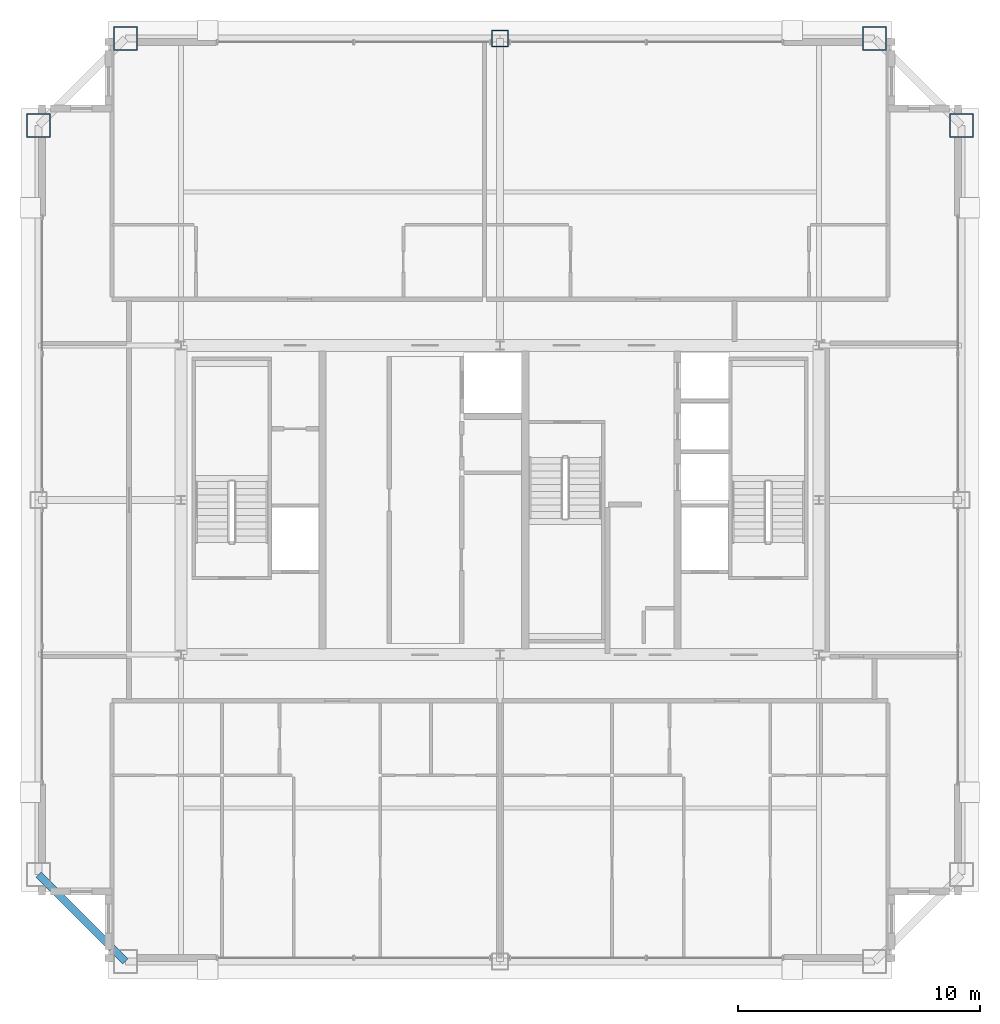
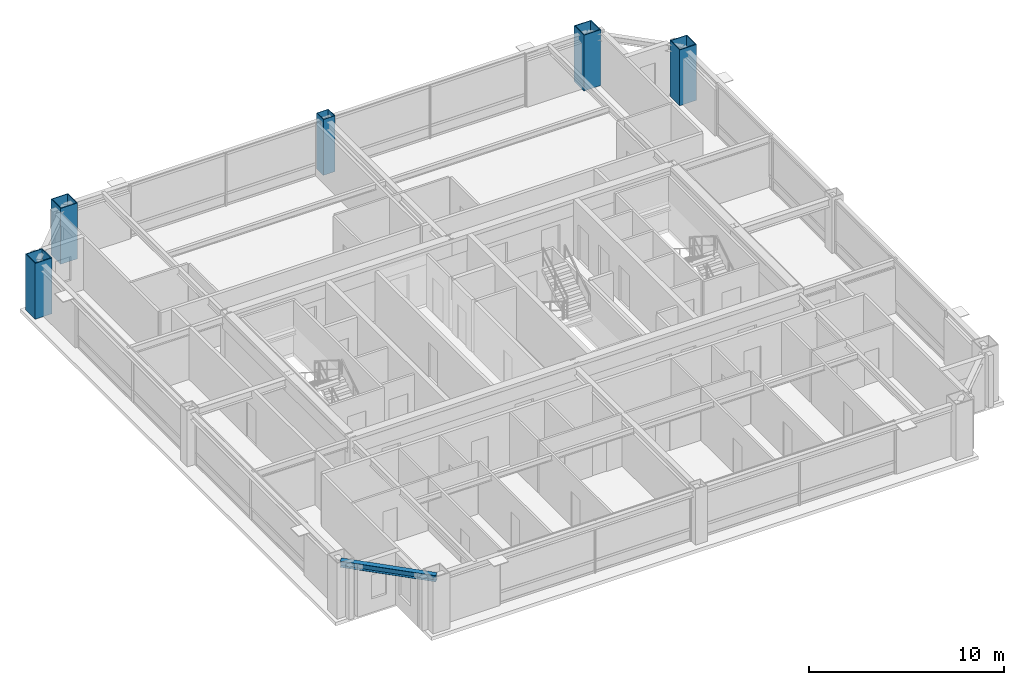
# One storey, part 3 of 34: 5 columns, 1 beam.
"""IFC4 building model written with IfcOpenShell, lengths in metres."""

import ifcopenshell
import ifcopenshell.guid

model = None  # the IFC model being written
_history = None  # IfcOwnerHistory: only IFC2X3 demands one
_inside = {}  # id of a spatial element -> (the spatial element, [elements in it])
_under = {}  # id of a project, library or spatial element -> (it, [spatial elements below it])
_declared = {}  # id of a project -> (the project, [libraries it declares])
_typed = {}  # id of a type object -> (the type object, [elements of that type])
_made_of = {}  # id of a material, layer set ... -> (it, [elements and type objects made of it])


def new_model(schema):
    """Start an empty IFC model of exactly this schema.

    Asked for "IFC4X3", IfcOpenShell would pick the latest addendum, in which some entities
    have other attributes; the version numbers below select the first issue.
    IFC2X3 requires an IfcOwnerHistory on every rooted entity: one is made here for all.
    """
    global model, _history
    if schema == "IFC4X3":
        model = ifcopenshell.file(schema_version=(4, 3, 0, 0))
    else:
        model = ifcopenshell.file(schema=schema)
    _inside.clear()
    _under.clear()
    _declared.clear()
    _typed.clear()
    _made_of.clear()
    _history = None
    if model.schema == "IFC2X3":
        org = make("IfcOrganization", Name="unknown")
        user = make(
            "IfcPersonAndOrganization",
            ThePerson=make("IfcPerson", FamilyName="unknown"),
            TheOrganization=org,
        )
        app = make(
            "IfcApplication",
            ApplicationDeveloper=org,
            Version="unknown",
            ApplicationFullName="unknown",
            ApplicationIdentifier="unknown",
        )
        _history = make(
            "IfcOwnerHistory",
            OwningUser=user,
            OwningApplication=app,
            ChangeAction="ADDED",
            CreationDate=0,
        )
    return model


def make(cls, **values):
    """One entity of the class cls with the attributes given. An attribute that is None is left unset."""
    return model.create_entity(
        cls, **{name: value for name, value in values.items() if value is not None}
    )


def rooted(cls, **values):
    """An entity with a GlobalId (a new one), such as an element, a storey or a relation."""
    return make(cls, GlobalId=ifcopenshell.guid.new(), OwnerHistory=_history, **values)


def si_unit(unit_type, name, prefix=None):
    """IfcSIUnit, for example si_unit("LENGTHUNIT", "METRE", prefix="MILLI")."""
    return make("IfcSIUnit", UnitType=unit_type, Prefix=prefix, Name=name)


def assignment(units):
    """IfcUnitAssignment: the units of a project."""
    return None if units is None else make("IfcUnitAssignment", Units=units)


def point(xyz):
    """IfcCartesianPoint."""
    return None if xyz is None else make("IfcCartesianPoint", Coordinates=xyz)


def direction(xyz):
    """IfcDirection."""
    return None if xyz is None else make("IfcDirection", DirectionRatios=xyz)


def frame(location, z_axis=None, x_axis=None):
    """IfcAxis2Placement3D, a coordinate frame: its origin and axes. An axis left out is left unset."""
    return make(
        "IfcAxis2Placement3D",
        Location=point(location),
        Axis=direction(z_axis),
        RefDirection=direction(x_axis),
    )


def frame_2d(location, x_axis=None):
    """IfcAxis2Placement2D, a coordinate frame in the plane: its origin and x axis."""
    return make(
        "IfcAxis2Placement2D", Location=point(location), RefDirection=direction(x_axis)
    )


def origin():
    """The frame at (0, 0, 0) with its axes left unset."""
    return frame((0.0, 0.0, 0.0))


def origin_2d():
    """The frame at (0, 0) in the plane with its x axis left unset."""
    return frame_2d((0.0, 0.0))


def place(relative_to, where):
    """IfcLocalPlacement: puts the frame where relative to a parent placement (None: the world)."""
    return make(
        "IfcLocalPlacement", PlacementRelTo=relative_to, RelativePlacement=where
    )


def context(
    kind, dimensions, precision=None, world=None, true_north=None, identifier=None
):
    """IfcGeometricRepresentationContext, for example the 3D "Model" context."""
    return make(
        "IfcGeometricRepresentationContext",
        ContextIdentifier=identifier,
        ContextType=kind,
        CoordinateSpaceDimension=dimensions,
        Precision=precision,
        WorldCoordinateSystem=world,
        TrueNorth=true_north,
    )


def subcontext(parent, identifier, kind, view, scale=None):
    """IfcGeometricRepresentationSubContext, for example "Body" below "Model"."""
    return make(
        "IfcGeometricRepresentationSubContext",
        ContextIdentifier=identifier,
        ContextType=kind,
        ParentContext=parent,
        TargetScale=scale,
        TargetView=view,
    )


def project(units=None, contexts=None):
    """IfcProject with its units and contexts."""
    return rooted(
        "IfcProject",
        Name="project",
        RepresentationContexts=contexts,
        UnitsInContext=assignment(units),
    )


def spatial(cls, under=None, at=None, **own):
    """A site, building, storey or space (cls), placed at a placement, below another one or the project."""
    s = rooted(cls, ObjectPlacement=at, **own)
    if under is not None:
        _under.setdefault(under.id(), (under, []))[1].append(s)
    return s


def profile(cls, at=None, kind="AREA", **sizes):
    """A parametric profile (cls). Its sizes go by their IFC names, for example OverallWidth=200.0."""
    return make(cls, ProfileType=kind, Position=at, **sizes)


def hollow_rectangle(**sizes):
    """IfcRectangleHollowProfileDef."""
    return profile("IfcRectangleHollowProfileDef", **sizes)


def i_section(**sizes):
    """IfcIShapeProfileDef."""
    return profile("IfcIShapeProfileDef", **sizes)


def extrude(swept, where, along, depth):
    """IfcExtrudedAreaSolid: the profile swept, set in the frame where, extruded along a direction by depth."""
    return make(
        "IfcExtrudedAreaSolid",
        SweptArea=swept,
        Position=where,
        ExtrudedDirection=direction(along),
        Depth=depth,
    )


def shape(context_of_items, identifier, shape_type, items):
    """IfcShapeRepresentation: the items that make up one representation, for example the "Body"."""
    return make(
        "IfcShapeRepresentation",
        ContextOfItems=context_of_items,
        RepresentationIdentifier=identifier,
        RepresentationType=shape_type,
        Items=items,
    )


def source(mapping_origin, context_of_items, identifier, shape_type, items):
    """IfcRepresentationMap: a shape defined once, which mapped items show again and again."""
    return make(
        "IfcRepresentationMap",
        MappingOrigin=mapping_origin,
        MappedRepresentation=shape(context_of_items, identifier, shape_type, items),
    )


def transform(
    local_origin,
    x_axis=None,
    y_axis=None,
    z_axis=None,
    scale=None,
    scale2=None,
    scale3=None,
    uniform=True,
):
    """IfcCartesianTransformationOperator3D, or its non-uniform kind. x_axis, y_axis, z_axis: its Axis1, 2, 3."""
    if uniform:
        return make(
            "IfcCartesianTransformationOperator3D",
            Axis1=direction(x_axis),
            Axis2=direction(y_axis),
            LocalOrigin=point(local_origin),
            Scale=scale,
            Axis3=direction(z_axis),
        )
    return make(
        "IfcCartesianTransformationOperator3DnonUniform",
        Axis1=direction(x_axis),
        Axis2=direction(y_axis),
        LocalOrigin=point(local_origin),
        Scale=scale,
        Axis3=direction(z_axis),
        Scale2=scale2,
        Scale3=scale3,
    )


def mapped(mapping_source, mapping_target):
    """IfcMappedItem: shows the shape of a source again, moved by a transform."""
    return make(
        "IfcMappedItem", MappingSource=mapping_source, MappingTarget=mapping_target
    )


def material(Name=None, Category=None):
    """IfcMaterial."""
    return make("IfcMaterial", Name=Name, Category=Category)


def material_profile(
    of_material, cross_section, Name=None, Category=None, Priority=None
):
    """IfcMaterialProfile: a cross section and its material."""
    return make(
        "IfcMaterialProfile",
        Name=Name,
        Material=of_material,
        Profile=cross_section,
        Priority=Priority,
        Category=Category,
    )


def profile_set(profiles, Name=None, composite=None):
    """IfcMaterialProfileSet."""
    return make(
        "IfcMaterialProfileSet",
        Name=Name,
        MaterialProfiles=profiles,
        CompositeProfile=composite,
    )


def made_of(thing, what):
    """Note that an element or type object is made of a material, layer set ...; save() writes the relation."""
    if what is not None:
        _made_of.setdefault(what.id(), (what, []))[1].append(thing)
    return thing


def type_object(cls, material=None, **own):
    """A type object (cls), such as IfcWallType, which elements share."""
    return made_of(rooted(cls, **own), material)


def element(
    cls,
    number,
    at=None,
    inside=None,
    cuts=None,
    type_object=None,
    material=None,
    context=None,
    identifier="Body",
    shape_type=None,
    held_by="IfcProductDefinitionShape",
    body=None,
    shapes=None,
    **own,
):
    """One element of the class cls, such as IfcWall. Its Tag is "e" and its number.

    at: its placement. inside: the storey or other place that contains it. cuts: it is an
    opening in that element (IfcRelVoidsElement). A single representation is given by context,
    identifier, shape_type and body (its items); several are given by shapes. held_by: the class
    of the entity that holds the representations. save() writes the other relations.
    """
    e = rooted(cls, Tag="e%d" % number, ObjectPlacement=at, **own)
    if body is not None:
        shapes = [shape(context, identifier, shape_type, body)]
    if shapes is not None:
        e.Representation = make(held_by, Representations=shapes)
    if inside is not None:
        _inside.setdefault(inside.id(), (inside, []))[1].append(e)
    if cuts is not None:
        rooted(
            "IfcRelVoidsElement", RelatingBuildingElement=cuts, RelatedOpeningElement=e
        )
    if type_object is not None:
        _typed.setdefault(type_object.id(), (type_object, []))[1].append(e)
    return made_of(e, material)


def aggregate(whole, parts):
    """IfcRelAggregates: a whole, such as a stair, and the parts it consists of."""
    return rooted("IfcRelAggregates", RelatingObject=whole, RelatedObjects=parts)


def save(model, path):
    """Write the relations noted so far, then the file.

    IfcRelAggregates (storeys below a building ...), IfcRelContainedInSpatialStructure (elements
    in a storey), IfcRelDefinesByType, IfcRelAssociatesMaterial and IfcRelDeclares: one each for
    every whole, place, type object, material and project.
    """
    for whole, parts in _under.values():
        aggregate(whole, parts)
    for where, things in _inside.values():
        rooted(
            "IfcRelContainedInSpatialStructure",
            RelatedElements=things,
            RelatingStructure=where,
        )
    for kind, things in _typed.values():
        rooted("IfcRelDefinesByType", RelatedObjects=things, RelatingType=kind)
    for what, things in _made_of.values():
        rooted("IfcRelAssociatesMaterial", RelatedObjects=things, RelatingMaterial=what)
    for by, libraries in _declared.values():
        rooted("IfcRelDeclares", RelatingContext=by, RelatedDefinitions=libraries)
    model.write(path)


model = new_model("IFC4")

# Units and contexts
model_context = context("Model", 3, precision=1e-05, world=origin(), true_north=direction((0.0, 1.0)))
body_context = subcontext(model_context, "Body", "Model", "MODEL_VIEW")
ifc_project = project(units=[si_unit("LENGTHUNIT", "METRE"), si_unit("AREAUNIT", "SQUARE_METRE"), si_unit("VOLUMEUNIT", "CUBIC_METRE"), si_unit("PLANEANGLEUNIT", "RADIAN"), si_unit("MASSUNIT", "GRAM", prefix="KILO"), si_unit("THERMODYNAMICTEMPERATUREUNIT", "KELVIN"), si_unit("POWERUNIT", "WATT")], contexts=[model_context])

# Site, building, storey
site_placement = place(None, origin())
site = spatial("IfcSite", under=ifc_project, at=site_placement, CompositionType="ELEMENT")
building_placement = place(site_placement, origin())
building = spatial("IfcBuilding", under=site, at=building_placement, Name="Yuzanri Waterfront Tower", CompositionType="ELEMENT")
storey_placement = place(building_placement, frame((0.0, 0.0, 325.199951171875)))
storey = spatial("IfcBuildingStorey", under=building, at=storey_placement, Name="L87", CompositionType="ELEMENT", Elevation=325.199951171875)

# Columns
ifc_material_1 = material(Name="Steel Q355B", Category="steel")
ifc_material_profile_1 = material_profile(ifc_material_1, hollow_rectangle(XDim=0.699951171875, YDim=0.699951171875, WallThickness=0.031982421875, at=origin_2d()), Name="RHS 700x700x32")
ifc_profile_set_1 = profile_set([ifc_material_profile_1], Name="Steel Q355B")
column_type_1 = type_object("IfcColumnType", Name="Frame Column Q355B RHS 700x700x32", PredefinedType="COLUMN", material=ifc_profile_set_1)
shared_shape_1 = source(origin(), body_context, "Body", "SweptSolid", [
    extrude(hollow_rectangle(XDim=0.699951171875, YDim=0.699951171875, WallThickness=0.031982421875, at=origin_2d()), origin(), (0.0, 0.0, 1.0), 3.5),
])
column_placement = place(storey_placement, frame((37.0, 44.89990234375, 0.0), z_axis=(0.0, 0.0, 1.0), x_axis=(1.0, 0.0, 0.0)))
element("IfcColumn", 1, at=column_placement, inside=storey, type_object=column_type_1, Name="L87 Perimeter Frame Column N2", PredefinedType="COLUMN", context=body_context, shape_type="MappedRepresentation", body=[
    mapped(shared_shape_1, transform((0.0, 0.0, 0.0), scale=1.0)),
])
ifc_material_2 = material(Name="Steel Q390GJC", Category="steel")
ifc_material_profile_2 = material_profile(ifc_material_2, hollow_rectangle(XDim=1.0, YDim=1.0, WallThickness=0.048095703125, at=origin_2d()), Name="RHS 1000x1000x48")
ifc_profile_set_2 = profile_set([ifc_material_profile_2], Name="Steel Q390GJC")
column_type_2 = type_object("IfcColumnType", Name="Mega Column Q390GJC RHS 1000x1000x48", PredefinedType="COLUMN", material=ifc_profile_set_2)
shared_shape_2 = source(origin(), body_context, "Body", "SweptSolid", [
    extrude(hollow_rectangle(XDim=1.0, YDim=1.0, WallThickness=0.048095703125, at=origin_2d()), origin(), (0.0, 0.0, 1.0), 3.5),
])
for number, where, z_axis, x_axis, name in (
    (2, (21.5, 44.89990234375, 0.0), (0.0, 0.0, 1.0), (1.0, 0.0, 0.0), "L87 Perimeter Mega Column N1"),
    (3, (52.5, 44.89990234375, 0.0), (0.0, 0.0, 1.0), (1.0, 0.0, 0.0), "L87 Perimeter Mega Column N3"),
    (4, (17.89990234375, 41.300048828125, 0.0), (0.0, 0.0, 1.0), (1.0, 0.0, 0.0), "L87 Perimeter Mega Column W3"),
    (5, (56.10009765625, 41.300048828125, 0.0), (0.0, 0.0, 1.0), (1.0, 0.0, 0.0), "L87 Perimeter Mega Column E3"),
):
    element("IfcColumn", number, at=place(storey_placement, frame(where, z_axis=z_axis, x_axis=x_axis)), inside=storey, type_object=column_type_2, Name=name, PredefinedType="COLUMN", context=body_context, shape_type="MappedRepresentation", body=[
        mapped(shared_shape_2, transform((0.0, 0.0, 0.0), scale=1.0)),
    ])

# Beam
ifc_material_3 = material(Name="Steel Q355B", Category="steel")
ifc_material_profile_3 = material_profile(ifc_material_3, i_section(OverallWidth=0.300048828125, OverallDepth=0.389892578125, WebThickness=0.010009765625, FlangeThickness=0.01611328125, at=origin_2d()), Name="HM 390x300x10x16")
ifc_profile_set_3 = profile_set([ifc_material_profile_3], Name="Steel Q355B")
beam_type = type_object("IfcBeamType", Name="Perimeter Spandrel Q355B HM 390x300", PredefinedType="SPANDREL", material=ifc_profile_set_3)
shared_shape_3 = source(origin(), body_context, "Body", "SweptSolid", [
    extrude(i_section(OverallWidth=0.300048828125, OverallDepth=0.389892578125, WebThickness=0.010009765625, FlangeThickness=0.01611328125, at=origin_2d()), origin(), (0.0, 0.0, 1.0), 5.09130859375),
])
beam_placement = place(storey_placement, frame((17.89990234375, 10.300048828125, 3.0849609375), z_axis=(0.707106781187, -0.707106781187, 0.0), x_axis=(0.707106781187, 0.707106781187, 0.0)))
element("IfcBeam", 6, at=beam_placement, inside=storey, type_object=beam_type, Name="L87 Perimeter Spandrel W1-S1", PredefinedType="SPANDREL", context=body_context, shape_type="MappedRepresentation", body=[
    mapped(shared_shape_3, transform((0.0, 0.0, 0.0), scale=1.0)),
])

save(model, "model.ifc")
